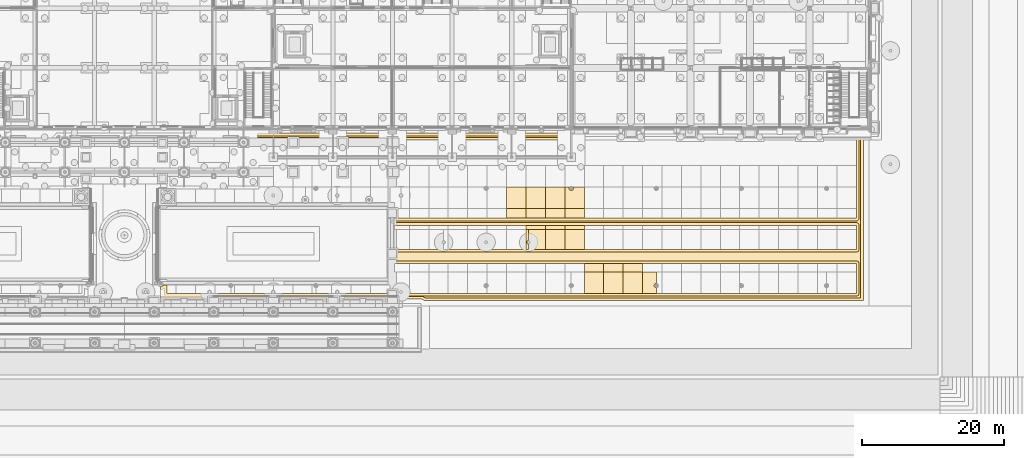
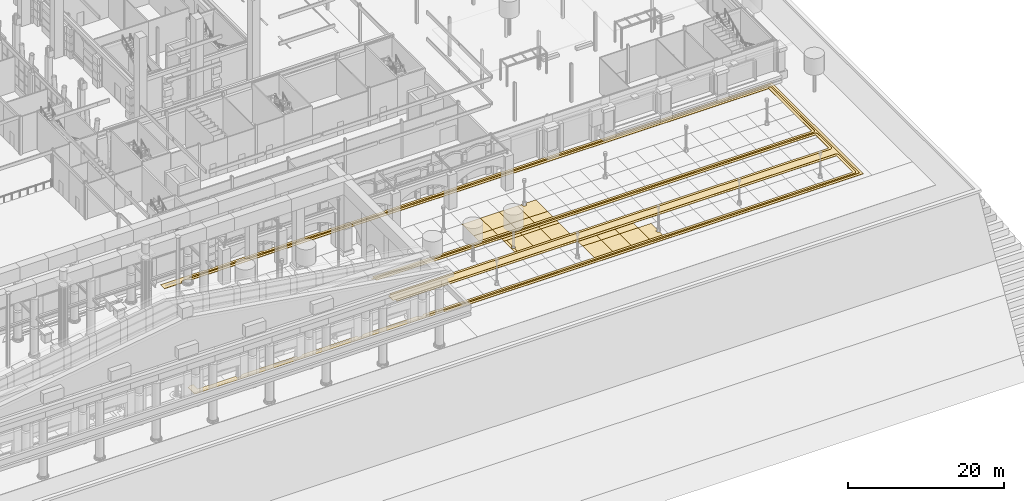
# One storey, part 158 of 222: 24 coverings.
"""IFC4 building model written with IfcOpenShell, lengths in metres."""

from ifc_helpers import new_model, si_unit, direction, frame, origin, place, context, subcontext, project, spatial, polyline, outline, extrude, material, layer, layer_set, type_object, element, save


model = new_model("IFC4")

# Units and contexts
model_context = context("Model", 3, precision=1e-05, world=origin(), true_north=direction((0.0, 1.0)))
body_context = subcontext(model_context, "Body", "Model", "MODEL_VIEW")
ifc_project = project(units=[si_unit("LENGTHUNIT", "METRE"), si_unit("AREAUNIT", "SQUARE_METRE"), si_unit("VOLUMEUNIT", "CUBIC_METRE"), si_unit("PLANEANGLEUNIT", "RADIAN"), si_unit("MASSUNIT", "GRAM", prefix="KILO")], contexts=[model_context])

# Site, building, storey
site_placement = place(None, origin())
site = spatial("IfcSite", under=ifc_project, at=site_placement, CompositionType="ELEMENT")
building_placement = place(site_placement, origin())
building = spatial("IfcBuilding", under=site, at=building_placement, Name="Sava Quay Ferry Terminal", CompositionType="ELEMENT")
storey_placement = place(building_placement, origin())
storey = spatial("IfcBuildingStorey", under=building, at=storey_placement, Name="L00", CompositionType="ELEMENT", Elevation=0.0)

# Coverings
ifc_material_1 = material(Name="Basalt setts", Category="masonry")
ifc_layer_1 = layer(ifc_material_1, 0.02001953125)
ifc_layer_set_1 = layer_set([ifc_layer_1], Name="Basalt setts")
covering_type_1 = type_object("IfcCoveringType", Name="Basalt inlay line 20", PredefinedType="FLOORING", material=ifc_layer_set_1)
covering_1_placement = place(storey_placement, frame((0.0, 0.0, 0.050048828125)))
element("IfcCovering", 1, at=covering_1_placement, inside=storey, type_object=covering_type_1, Name="Basalt inlay line", PredefinedType="FLOORING", context=body_context, shape_type="SweptSolid", body=[
    extrude(outline(polyline([(166.31005859375, 1.43603515625), (166.27392578125, 1.427001953125), (166.237060546875, 1.422119140625), (166.199951171875, 1.419921875), (102.659912109375, 1.419921875), (102.6240234375, 1.3798828125), (104.800048828125, 1.3798828125), (104.8779296875, 1.376953125), (104.9169921875, 1.373046875), (105.008056640625, 1.35693359375), (105.06494140625, 1.343017578125), (105.10205078125, 1.33203125), (105.157958984375, 1.31201171875), (105.19189453125, 1.298095703125), (105.2451171875, 1.27294921875), (105.279052734375, 1.2548828125), (105.3291015625, 1.22509765625), (105.39306640625, 1.179931640625), (166.820068359375, 1.179931640625), (166.820068359375, 24.02001953125), (118.467041015625, 24.02001953125), (118.4208984375, 24.0), (118.39794921875, 23.991943359375), (118.35107421875, 23.97900390625), (118.302978515625, 23.968994140625), (118.263916015625, 23.962890625), (118.22509765625, 23.9609375), (117.0, 23.9599609375), (116.9599609375, 23.9609375), (116.9130859375, 23.966064453125), (116.85888671875, 23.97607421875), (116.802001953125, 23.991943359375), (116.751953125, 24.010986328125), (116.73291015625, 24.02001953125), (110.06689453125, 24.02001953125), (110.02099609375, 24.0), (109.998046875, 23.991943359375), (109.950927734375, 23.97900390625), (109.903076171875, 23.968994140625), (109.864013671875, 23.962890625), (109.824951171875, 23.9609375), (108.60009765625, 23.9599609375), (108.56005859375, 23.9609375), (108.512939453125, 23.966064453125), (108.458984375, 23.97607421875), (108.402099609375, 23.991943359375), (108.35205078125, 24.010986328125), (108.3330078125, 24.02001953125), (101.6669921875, 24.02001953125), (101.62109375, 24.0), (101.597900390625, 23.991943359375), (101.551025390625, 23.97900390625), (101.5029296875, 23.968994140625), (101.464111328125, 23.962890625), (101.425048828125, 23.9609375), (100.199951171875, 23.9599609375), (100.159912109375, 23.9609375), (100.113037109375, 23.966064453125), (100.05908203125, 23.97607421875), (100.001953125, 23.991943359375), (99.951904296875, 24.010986328125), (99.93310546875, 24.02001953125), (93.26708984375, 24.02001953125), (93.220947265625, 24.0), (93.197998046875, 23.991943359375), (93.15087890625, 23.97900390625), (93.10302734375, 23.968994140625), (93.06396484375, 23.962890625), (93.02490234375, 23.9609375), (91.800048828125, 23.9599609375), (91.760009765625, 23.9609375), (91.712890625, 23.966064453125), (91.658935546875, 23.97607421875), (91.60205078125, 23.991943359375), (91.552001953125, 24.010986328125), (91.532958984375, 24.02001953125), (84.866943359375, 24.02001953125), (84.821044921875, 24.0), (84.798095703125, 23.991943359375), (84.7509765625, 23.97900390625), (84.702880859375, 23.968994140625), (84.6640625, 23.962890625), (84.625, 23.9609375), (83.39990234375, 23.9599609375), (83.360107421875, 23.9609375), (83.31298828125, 23.966064453125), (83.259033203125, 23.97607421875), (83.201904296875, 23.991943359375), (83.152099609375, 24.010986328125), (83.133056640625, 24.02001953125), (80.52001953125, 24.02001953125), (80.56591796875, 23.988037109375), (80.595947265625, 23.962890625), (80.64306640625, 23.91796875), (80.6630859375, 23.89599609375), (80.705078125, 23.843017578125), (80.722900390625, 23.81591796875), (80.743896484375, 23.780029296875), (166.199951171875, 23.780029296875), (166.237060546875, 23.778076171875), (166.27392578125, 23.77294921875), (166.31005859375, 23.763916015625), (166.344970703125, 23.7509765625), (166.37890625, 23.735107421875), (166.410888671875, 23.716064453125), (166.44091796875, 23.694091796875), (166.468994140625, 23.6689453125), (166.493896484375, 23.64111328125), (166.51611328125, 23.611083984375), (166.534912109375, 23.5791015625), (166.551025390625, 23.544921875), (166.56396484375, 23.510009765625), (166.572998046875, 23.47412109375), (166.577880859375, 23.43701171875), (166.580078125, 23.39990234375), (166.580078125, 12.39990234375), (166.577880859375, 12.363037109375), (166.572998046875, 12.325927734375), (166.56396484375, 12.2900390625), (166.551025390625, 12.2548828125), (166.534912109375, 12.220947265625), (166.51611328125, 12.18896484375), (166.493896484375, 12.158935546875), (166.468994140625, 12.131103515625), (166.44091796875, 12.10595703125), (166.410888671875, 12.083984375), (166.37890625, 12.06494140625), (166.344970703125, 12.049072265625), (166.31005859375, 12.035888671875), (166.27392578125, 12.027099609375), (166.237060546875, 12.02197265625), (166.199951171875, 12.02001953125), (100.6298828125, 12.02001953125), (100.6298828125, 11.780029296875), (166.199951171875, 11.780029296875), (166.237060546875, 11.778076171875), (166.27392578125, 11.77294921875), (166.31005859375, 11.763916015625), (166.344970703125, 11.7509765625), (166.37890625, 11.735107421875), (166.410888671875, 11.716064453125), (166.44091796875, 11.694091796875), (166.468994140625, 11.6689453125), (166.493896484375, 11.64111328125), (166.51611328125, 11.611083984375), (166.534912109375, 11.5791015625), (166.551025390625, 11.544921875), (166.56396484375, 11.510009765625), (166.572998046875, 11.47412109375), (166.577880859375, 11.43701171875), (166.580078125, 11.39990234375), (166.580078125, 8.0), (166.577880859375, 7.962890625), (166.572998046875, 7.926025390625), (166.56396484375, 7.889892578125), (166.551025390625, 7.85498046875), (166.534912109375, 7.821044921875), (166.51611328125, 7.7890625), (166.493896484375, 7.759033203125), (166.468994140625, 7.73095703125), (166.44091796875, 7.7060546875), (166.410888671875, 7.68408203125), (166.37890625, 7.6650390625), (166.344970703125, 7.64892578125), (166.31005859375, 7.635986328125), (166.27392578125, 7.626953125), (166.237060546875, 7.6220703125), (166.199951171875, 7.6201171875), (100.6298828125, 7.6201171875), (100.6298828125, 6.3798828125), (166.199951171875, 6.3798828125), (166.237060546875, 6.3779296875), (166.27392578125, 6.373046875), (166.31005859375, 6.364013671875), (166.344970703125, 6.35107421875), (166.37890625, 6.3349609375), (166.410888671875, 6.31591796875), (166.44091796875, 6.2939453125), (166.468994140625, 6.26904296875), (166.493896484375, 6.240966796875), (166.51611328125, 6.2109375), (166.534912109375, 6.178955078125), (166.551025390625, 6.14501953125), (166.56396484375, 6.110107421875), (166.572998046875, 6.073974609375), (166.577880859375, 6.037109375), (166.580078125, 6.0), (166.580078125, 1.800048828125), (166.577880859375, 1.762939453125), (166.572998046875, 1.72607421875), (166.56396484375, 1.68994140625), (166.551025390625, 1.655029296875), (166.534912109375, 1.62109375), (166.51611328125, 1.589111328125), (166.493896484375, 1.55908203125), (166.468994140625, 1.531005859375), (166.44091796875, 1.506103515625), (166.410888671875, 1.48388671875), (166.37890625, 1.465087890625), (166.344970703125, 1.448974609375), (166.31005859375, 1.43603515625)])), origin(), (0.0, 0.0, 1.0), 0.02001953125),
])
ifc_material_2 = material(Name="Limestone Mutalj", Category="masonry")
ifc_layer_2 = layer(ifc_material_2, 0.030029296875)
ifc_layer_set_2 = layer_set([ifc_layer_2], Name="Limestone Mutalj")
covering_type_2 = type_object("IfcCoveringType", Name="Court paving tile 30", PredefinedType="FLOORING", material=ifc_layer_set_2)
covering_2_placement = place(storey_placement, origin())
element("IfcCovering", 2, at=covering_2_placement, inside=storey, type_object=covering_type_2, Name="Limestone paving tile", PredefinedType="FLOORING", context=body_context, shape_type="SweptSolid", body=[
    extrude(outline(polyline([(116.8798828125, 13.800048828125), (119.6201171875, 13.800048828125), (119.6201171875, 16.800048828125), (116.8798828125, 16.800048828125), (116.8798828125, 13.800048828125)])), origin(), (0.0, 0.0, 1.0), 0.030029296875),
])
covering_3_placement = place(storey_placement, origin())
element("IfcCovering", 3, at=covering_3_placement, inside=storey, type_object=covering_type_2, Name="Limestone paving tile", PredefinedType="FLOORING", context=body_context, shape_type="SweptSolid", body=[
    extrude(outline(polyline([(122.360107421875, 10.800048828125), (122.360107421875, 11.389892578125), (119.6201171875, 11.389892578125), (119.6201171875, 10.800048828125), (122.360107421875, 10.800048828125)])), origin(), (0.0, 0.0, 1.0), 0.030029296875),
])
covering_4_placement = place(storey_placement, origin())
element("IfcCovering", 4, at=covering_4_placement, inside=storey, type_object=covering_type_2, Name="Limestone paving tile", PredefinedType="FLOORING", context=body_context, shape_type="SweptSolid", body=[
    extrude(outline(polyline([(119.6201171875, 13.800048828125), (119.6201171875, 12.409912109375), (122.360107421875, 12.409912109375), (122.360107421875, 13.800048828125), (119.6201171875, 13.800048828125)])), origin(), (0.0, 0.0, 1.0), 0.030029296875),
])
covering_5_placement = place(storey_placement, origin())
element("IfcCovering", 5, at=covering_5_placement, inside=storey, type_object=covering_type_2, Name="Limestone paving tile", PredefinedType="FLOORING", context=body_context, shape_type="SweptSolid", body=[
    extrude(outline(polyline([(122.360107421875, 10.800048828125), (122.360107421875, 8.010009765625), (125.10009765625, 8.010009765625), (125.10009765625, 10.800048828125), (122.360107421875, 10.800048828125)])), origin(), (0.0, 0.0, 1.0), 0.030029296875),
])
covering_6_placement = place(storey_placement, origin())
element("IfcCovering", 6, at=covering_6_placement, inside=storey, type_object=covering_type_2, Name="Limestone paving tile", PredefinedType="FLOORING", context=body_context, shape_type="SweptSolid", body=[
    extrude(outline(polyline([(122.360107421875, 13.800048828125), (125.10009765625, 13.800048828125), (125.10009765625, 16.800048828125), (122.360107421875, 16.800048828125), (122.360107421875, 13.800048828125)])), origin(), (0.0, 0.0, 1.0), 0.030029296875),
])
covering_7_placement = place(storey_placement, origin())
element("IfcCovering", 7, at=covering_7_placement, inside=storey, type_object=covering_type_2, Name="Limestone paving tile", PredefinedType="FLOORING", context=body_context, shape_type="SweptSolid", body=[
    extrude(outline(polyline([(127.840087890625, 10.800048828125), (127.840087890625, 11.389892578125), (125.10009765625, 11.389892578125), (125.10009765625, 10.800048828125), (127.840087890625, 10.800048828125)])), origin(), (0.0, 0.0, 1.0), 0.030029296875),
])
covering_8_placement = place(storey_placement, origin())
element("IfcCovering", 8, at=covering_8_placement, inside=storey, type_object=covering_type_2, Name="Limestone paving tile", PredefinedType="FLOORING", context=body_context, shape_type="SweptSolid", body=[
    extrude(outline(polyline([(125.10009765625, 13.800048828125), (125.10009765625, 12.409912109375), (127.840087890625, 12.409912109375), (127.840087890625, 13.800048828125), (125.10009765625, 13.800048828125)])), origin(), (0.0, 0.0, 1.0), 0.030029296875),
])
covering_9_placement = place(storey_placement, origin())
element("IfcCovering", 9, at=covering_9_placement, inside=storey, type_object=covering_type_2, Name="Limestone paving tile", PredefinedType="FLOORING", context=body_context, shape_type="SweptSolid", body=[
    extrude(outline(polyline([(127.840087890625, 4.800048828125), (127.840087890625, 1.81005859375), (130.580078125, 1.81005859375), (130.580078125, 4.800048828125), (127.840087890625, 4.800048828125)])), origin(), (0.0, 0.0, 1.0), 0.030029296875),
])
covering_10_placement = place(storey_placement, origin())
element("IfcCovering", 10, at=covering_10_placement, inside=storey, type_object=covering_type_2, Name="Limestone paving tile", PredefinedType="FLOORING", context=body_context, shape_type="SweptSolid", body=[
    extrude(outline(polyline([(133.320068359375, 4.800048828125), (133.320068359375, 5.989990234375), (130.580078125, 5.989990234375), (130.580078125, 4.800048828125), (133.320068359375, 4.800048828125)])), origin(), (0.0, 0.0, 1.0), 0.030029296875),
])
covering_11_placement = place(storey_placement, origin())
element("IfcCovering", 11, at=covering_11_placement, inside=storey, type_object=covering_type_2, Name="Limestone paving tile", PredefinedType="FLOORING", context=body_context, shape_type="SweptSolid", body=[
    extrude(outline(polyline([(133.320068359375, 4.800048828125), (133.320068359375, 1.81005859375), (136.06005859375, 1.81005859375), (136.06005859375, 4.800048828125), (133.320068359375, 4.800048828125)])), origin(), (0.0, 0.0, 1.0), 0.030029296875),
])
ifc_material_3 = material(Name="Red sandstone Vrsac", Category="masonry")
ifc_layer_3 = layer(ifc_material_3, 0.030029296875)
ifc_layer_set_3 = layer_set([ifc_layer_3], Name="Red sandstone Vrsac")
covering_type_3 = type_object("IfcCoveringType", Name="Court paving tile sandstone 30", PredefinedType="FLOORING", material=ifc_layer_set_3)
covering_12_placement = place(storey_placement, origin())
element("IfcCovering", 12, at=covering_12_placement, inside=storey, type_object=covering_type_3, Name="Sandstone paving tile", PredefinedType="FLOORING", context=body_context, shape_type="SweptSolid", body=[
    extrude(outline(polyline([(116.8798828125, 13.800048828125), (116.8798828125, 12.409912109375), (119.6201171875, 12.409912109375), (119.6201171875, 13.800048828125), (116.8798828125, 13.800048828125)])), origin(), (0.0, 0.0, 1.0), 0.030029296875),
])
covering_13_placement = place(storey_placement, origin())
element("IfcCovering", 13, at=covering_13_placement, inside=storey, type_object=covering_type_3, Name="Sandstone paving tile", PredefinedType="FLOORING", context=body_context, shape_type="SweptSolid", body=[
    extrude(outline(polyline([(120.0, 10.800048828125), (119.6201171875, 10.800048828125), (119.6201171875, 8.010009765625), (120.0, 8.010009765625), (120.0, 8.739990234375), (119.97412109375, 8.740966796875), (119.948974609375, 8.7451171875), (119.924072265625, 8.7509765625), (119.89990234375, 8.760009765625), (119.876953125, 8.77099609375), (119.85498046875, 8.783935546875), (119.8349609375, 8.799072265625), (119.81591796875, 8.81689453125), (119.799072265625, 8.8349609375), (119.783935546875, 8.85595703125), (119.77001953125, 8.8779296875), (119.760009765625, 8.90087890625), (119.7509765625, 8.925048828125), (119.7451171875, 8.949951171875), (119.740966796875, 8.97509765625), (119.739990234375, 9.0), (119.740966796875, 9.02587890625), (119.7451171875, 9.051025390625), (119.7509765625, 9.075927734375), (119.760009765625, 9.10009765625), (119.77099609375, 9.123046875), (119.783935546875, 9.14501953125), (119.799072265625, 9.1650390625), (119.81689453125, 9.18408203125), (119.8349609375, 9.200927734375), (119.85595703125, 9.216064453125), (119.8779296875, 9.22998046875), (119.90087890625, 9.239990234375), (119.925048828125, 9.2490234375), (119.949951171875, 9.2548828125), (119.97509765625, 9.259033203125), (120.0, 9.260009765625), (120.0, 10.800048828125)])), origin(), (0.0, 0.0, 1.0), 0.030029296875),
])
covering_14_placement = place(storey_placement, origin())
element("IfcCovering", 14, at=covering_14_placement, inside=storey, type_object=covering_type_3, Name="Sandstone paving tile", PredefinedType="FLOORING", context=body_context, shape_type="SweptSolid", body=[
    extrude(outline(polyline([(122.360107421875, 10.800048828125), (120.0, 10.800048828125), (120.0, 9.260009765625), (120.02587890625, 9.259033203125), (120.051025390625, 9.2548828125), (120.075927734375, 9.2490234375), (120.10009765625, 9.239990234375), (120.123046875, 9.22900390625), (120.14501953125, 9.216064453125), (120.1650390625, 9.200927734375), (120.18408203125, 9.18310546875), (120.200927734375, 9.1650390625), (120.216064453125, 9.14404296875), (120.22998046875, 9.1220703125), (120.239990234375, 9.09912109375), (120.2490234375, 9.074951171875), (120.2548828125, 9.050048828125), (120.259033203125, 9.02490234375), (120.260009765625, 9.0), (120.259033203125, 8.97412109375), (120.2548828125, 8.948974609375), (120.2490234375, 8.924072265625), (120.239990234375, 8.89990234375), (120.22900390625, 8.876953125), (120.216064453125, 8.85498046875), (120.200927734375, 8.8349609375), (120.18310546875, 8.81591796875), (120.1650390625, 8.799072265625), (120.14404296875, 8.783935546875), (120.1220703125, 8.77001953125), (120.09912109375, 8.760009765625), (120.074951171875, 8.7509765625), (120.050048828125, 8.7451171875), (120.02490234375, 8.740966796875), (120.0, 8.739990234375), (120.0, 8.010009765625), (122.360107421875, 8.010009765625), (122.360107421875, 10.800048828125)])), origin(), (0.0, 0.0, 1.0), 0.030029296875),
])
covering_15_placement = place(storey_placement, origin())
element("IfcCovering", 15, at=covering_15_placement, inside=storey, type_object=covering_type_3, Name="Sandstone paving tile", PredefinedType="FLOORING", context=body_context, shape_type="SweptSolid", body=[
    extrude(outline(polyline([(119.6201171875, 13.800048828125), (122.360107421875, 13.800048828125), (122.360107421875, 16.800048828125), (119.6201171875, 16.800048828125), (119.6201171875, 13.800048828125)])), origin(), (0.0, 0.0, 1.0), 0.030029296875),
])
covering_16_placement = place(storey_placement, origin())
element("IfcCovering", 16, at=covering_16_placement, inside=storey, type_object=covering_type_3, Name="Sandstone paving tile", PredefinedType="FLOORING", context=body_context, shape_type="SweptSolid", body=[
    extrude(outline(polyline([(125.10009765625, 10.800048828125), (125.10009765625, 11.389892578125), (122.360107421875, 11.389892578125), (122.360107421875, 10.800048828125), (125.10009765625, 10.800048828125)])), origin(), (0.0, 0.0, 1.0), 0.030029296875),
])
covering_17_placement = place(storey_placement, origin())
element("IfcCovering", 17, at=covering_17_placement, inside=storey, type_object=covering_type_3, Name="Sandstone paving tile", PredefinedType="FLOORING", context=body_context, shape_type="SweptSolid", body=[
    extrude(outline(polyline([(122.360107421875, 13.800048828125), (122.360107421875, 12.409912109375), (125.10009765625, 12.409912109375), (125.10009765625, 13.800048828125), (122.360107421875, 13.800048828125)])), origin(), (0.0, 0.0, 1.0), 0.030029296875),
])
covering_18_placement = place(storey_placement, origin())
element("IfcCovering", 18, at=covering_18_placement, inside=storey, type_object=covering_type_3, Name="Sandstone paving tile", PredefinedType="FLOORING", context=body_context, shape_type="SweptSolid", body=[
    extrude(outline(polyline([(125.10009765625, 10.800048828125), (125.10009765625, 8.010009765625), (127.840087890625, 8.010009765625), (127.840087890625, 10.800048828125), (125.10009765625, 10.800048828125)])), origin(), (0.0, 0.0, 1.0), 0.030029296875),
])
covering_19_placement = place(storey_placement, origin())
element("IfcCovering", 19, at=covering_19_placement, inside=storey, type_object=covering_type_3, Name="Sandstone paving tile", PredefinedType="FLOORING", context=body_context, shape_type="SweptSolid", body=[
    extrude(outline(polyline([(127.840087890625, 16.800048828125), (126.237060546875, 16.800048828125), (126.257080078125, 16.77294921875), (126.27392578125, 16.74609375), (126.287109375, 16.718017578125), (126.2958984375, 16.68994140625), (126.303955078125, 16.659912109375), (126.30810546875, 16.631103515625), (126.31005859375, 16.60009765625), (126.30810546875, 16.569091796875), (126.303955078125, 16.5400390625), (126.297119140625, 16.510009765625), (126.285888671875, 16.48095703125), (126.27294921875, 16.452880859375), (126.258056640625, 16.427978515625), (126.239013671875, 16.403076171875), (126.218994140625, 16.3798828125), (126.197021484375, 16.361083984375), (126.172119140625, 16.342041015625), (126.14599609375, 16.325927734375), (126.118896484375, 16.31396484375), (126.090087890625, 16.302978515625), (126.06005859375, 16.2958984375), (126.031005859375, 16.2919921875), (126.0, 16.2900390625), (125.968994140625, 16.2919921875), (125.93994140625, 16.2958984375), (125.909912109375, 16.302978515625), (125.881103515625, 16.31396484375), (125.85400390625, 16.325927734375), (125.827880859375, 16.342041015625), (125.802978515625, 16.361083984375), (125.781005859375, 16.3798828125), (125.760986328125, 16.403076171875), (125.741943359375, 16.427978515625), (125.72705078125, 16.452880859375), (125.714111328125, 16.48095703125), (125.702880859375, 16.510009765625), (125.696044921875, 16.5400390625), (125.69189453125, 16.569091796875), (125.68994140625, 16.60009765625), (125.69189453125, 16.631103515625), (125.696044921875, 16.659912109375), (125.7041015625, 16.68994140625), (125.712890625, 16.718017578125), (125.72607421875, 16.74609375), (125.742919921875, 16.77294921875), (125.762939453125, 16.800048828125), (125.10009765625, 16.800048828125), (125.10009765625, 13.800048828125), (127.840087890625, 13.800048828125), (127.840087890625, 16.800048828125)])), origin(), (0.0, 0.0, 1.0), 0.030029296875),
])
covering_20_placement = place(storey_placement, origin())
element("IfcCovering", 20, at=covering_20_placement, inside=storey, type_object=covering_type_3, Name="Sandstone paving tile", PredefinedType="FLOORING", context=body_context, shape_type="SweptSolid", body=[
    extrude(outline(polyline([(130.580078125, 4.800048828125), (130.580078125, 5.989990234375), (127.840087890625, 5.989990234375), (127.840087890625, 4.800048828125), (130.580078125, 4.800048828125)])), origin(), (0.0, 0.0, 1.0), 0.030029296875),
])
covering_21_placement = place(storey_placement, origin())
element("IfcCovering", 21, at=covering_21_placement, inside=storey, type_object=covering_type_3, Name="Sandstone paving tile", PredefinedType="FLOORING", context=body_context, shape_type="SweptSolid", body=[
    extrude(outline(polyline([(130.580078125, 4.800048828125), (130.580078125, 1.81005859375), (133.320068359375, 1.81005859375), (133.320068359375, 4.800048828125), (130.580078125, 4.800048828125)])), origin(), (0.0, 0.0, 1.0), 0.030029296875),
])
covering_22_placement = place(storey_placement, origin())
element("IfcCovering", 22, at=covering_22_placement, inside=storey, type_object=covering_type_3, Name="Sandstone paving tile", PredefinedType="FLOORING", context=body_context, shape_type="SweptSolid", body=[
    extrude(outline(polyline([(136.06005859375, 4.800048828125), (136.06005859375, 5.989990234375), (133.320068359375, 5.989990234375), (133.320068359375, 4.800048828125), (136.06005859375, 4.800048828125)])), origin(), (0.0, 0.0, 1.0), 0.030029296875),
])
covering_23_placement = place(storey_placement, origin())
element("IfcCovering", 23, at=covering_23_placement, inside=storey, type_object=covering_type_3, Name="Sandstone paving tile", PredefinedType="FLOORING", context=body_context, shape_type="SweptSolid", body=[
    extrude(outline(polyline([(138.0, 4.800048828125), (136.06005859375, 4.800048828125), (136.06005859375, 1.81005859375), (138.0, 1.81005859375), (138.0, 2.590087890625), (137.968994140625, 2.592041015625), (137.93896484375, 2.595947265625), (137.909912109375, 2.60400390625), (137.881103515625, 2.614013671875), (137.85302734375, 2.626953125), (137.826904296875, 2.64306640625), (137.802978515625, 2.660888671875), (137.780029296875, 2.680908203125), (137.760009765625, 2.7041015625), (137.741943359375, 2.72802734375), (137.72607421875, 2.75390625), (137.712890625, 2.781982421875), (137.702880859375, 2.81005859375), (137.696044921875, 2.840087890625), (137.69091796875, 2.8701171875), (137.68994140625, 2.89990234375), (137.69189453125, 2.930908203125), (137.696044921875, 2.9609375), (137.7041015625, 2.989990234375), (137.714111328125, 3.01904296875), (137.72705078125, 3.047119140625), (137.742919921875, 3.072998046875), (137.760986328125, 3.096923828125), (137.781005859375, 3.1201171875), (137.803955078125, 3.139892578125), (137.827880859375, 3.157958984375), (137.85400390625, 3.174072265625), (137.882080078125, 3.18701171875), (137.909912109375, 3.197021484375), (137.93994140625, 3.2041015625), (137.969970703125, 3.208984375), (138.0, 3.2099609375), (138.0, 4.800048828125)])), origin(), (0.0, 0.0, 1.0), 0.030029296875),
])
ifc_material_4 = material(Name="Limestone Mutalj", Category="masonry")
ifc_layer_4 = layer(ifc_material_4, 0.050048828125)
ifc_layer_set_4 = layer_set([ifc_layer_4], Name="Limestone Mutalj")
covering_type_4 = type_object("IfcCoveringType", Name="Stone paving band 50", PredefinedType="FLOORING", material=ifc_layer_set_4)
covering_24_placement = place(storey_placement, origin())
element("IfcCovering", 24, at=covering_24_placement, inside=storey, type_object=covering_type_4, Name="Stone paving band", PredefinedType="FLOORING", context=body_context, shape_type="SweptSolid", body=[
    extrude(outline(polyline([(69.0, 1.800048828125), (69.0, 2.949951171875), (68.472900390625, 2.949951171875), (68.458984375, 2.928955078125), (68.416015625, 2.8798828125), (68.3759765625, 2.844970703125), (68.327880859375, 2.81201171875), (68.26904296875, 2.782958984375), (68.219970703125, 2.76611328125), (68.162109375, 2.75390625), (68.10009765625, 2.75), (68.10009765625, 1.0), (104.800048828125, 1.0), (104.85888671875, 0.9970703125), (104.9169921875, 0.988037109375), (104.97412109375, 0.97412109375), (105.030029296875, 0.9541015625), (105.0830078125, 0.928955078125), (105.133056640625, 0.89892578125), (105.180908203125, 0.864013671875), (105.22412109375, 0.823974609375), (105.24609375, 0.800048828125), (167.199951171875, 0.800048828125), (167.199951171875, 24.39990234375), (118.362060546875, 24.39990234375), (118.339111328125, 24.382080078125), (118.2958984375, 24.35888671875), (118.27294921875, 24.35107421875), (118.22509765625, 24.341064453125), (117.0, 24.340087890625), (116.97509765625, 24.341064453125), (116.950927734375, 24.344970703125), (116.927001953125, 24.35107421875), (116.904052734375, 24.35888671875), (116.861083984375, 24.382080078125), (116.837890625, 24.39990234375), (109.9619140625, 24.39990234375), (109.93896484375, 24.382080078125), (109.89599609375, 24.35888671875), (109.873046875, 24.35107421875), (109.824951171875, 24.341064453125), (108.60009765625, 24.340087890625), (108.574951171875, 24.341064453125), (108.551025390625, 24.344970703125), (108.527099609375, 24.35107421875), (108.50390625, 24.35888671875), (108.4609375, 24.382080078125), (108.43798828125, 24.39990234375), (101.56201171875, 24.39990234375), (101.5390625, 24.382080078125), (101.49609375, 24.35888671875), (101.472900390625, 24.35107421875), (101.425048828125, 24.341064453125), (100.199951171875, 24.340087890625), (100.175048828125, 24.341064453125), (100.15087890625, 24.344970703125), (100.126953125, 24.35107421875), (100.10400390625, 24.35888671875), (100.06103515625, 24.382080078125), (100.0380859375, 24.39990234375), (93.162109375, 24.39990234375), (93.138916015625, 24.382080078125), (93.095947265625, 24.35888671875), (93.072998046875, 24.35107421875), (93.02490234375, 24.341064453125), (91.800048828125, 24.340087890625), (91.77490234375, 24.341064453125), (91.7509765625, 24.344970703125), (91.72705078125, 24.35107421875), (91.7041015625, 24.35888671875), (91.660888671875, 24.382080078125), (91.637939453125, 24.39990234375), (84.761962890625, 24.39990234375), (84.739013671875, 24.382080078125), (84.696044921875, 24.35888671875), (84.673095703125, 24.35107421875), (84.625, 24.341064453125), (83.39990234375, 24.340087890625), (83.375, 24.341064453125), (83.35107421875, 24.344970703125), (83.326904296875, 24.35107421875), (83.303955078125, 24.35888671875), (83.260986328125, 24.382080078125), (83.238037109375, 24.39990234375), (76.529052734375, 24.39990234375), (76.529052734375, 23.39990234375), (79.14990234375, 23.39990234375), (79.15087890625, 23.47900390625), (79.156005859375, 23.509033203125), (79.1630859375, 23.537109375), (79.173095703125, 23.56494140625), (79.18505859375, 23.591064453125), (79.200927734375, 23.616943359375), (79.218017578125, 23.639892578125), (79.238037109375, 23.662109375), (79.260009765625, 23.681884765625), (79.282958984375, 23.698974609375), (79.30908203125, 23.715087890625), (79.3349609375, 23.72705078125), (79.363037109375, 23.737060546875), (79.39111328125, 23.743896484375), (79.4208984375, 23.7490234375), (79.541015625, 23.75), (79.60888671875, 23.77294921875), (79.676025390625, 23.7890625), (79.743896484375, 23.798095703125), (79.81201171875, 23.800048828125), (79.881103515625, 23.794921875), (79.948974609375, 23.783935546875), (80.014892578125, 23.76611328125), (80.05908203125, 23.75), (80.178955078125, 23.7490234375), (80.208984375, 23.743896484375), (80.237060546875, 23.737060546875), (80.264892578125, 23.72705078125), (80.291015625, 23.715087890625), (80.31689453125, 23.698974609375), (80.340087890625, 23.681884765625), (80.362060546875, 23.662109375), (80.382080078125, 23.639892578125), (80.39892578125, 23.616943359375), (80.4150390625, 23.591064453125), (80.427001953125, 23.56494140625), (80.43701171875, 23.537109375), (80.444091796875, 23.509033203125), (80.448974609375, 23.47900390625), (80.449951171875, 23.39990234375), (166.199951171875, 23.39990234375), (166.199951171875, 12.39990234375), (101.050048828125, 12.39990234375), (101.050048828125, 11.39990234375), (166.199951171875, 11.39990234375), (166.199951171875, 8.0), (101.050048828125, 8.0), (101.050048828125, 6.0), (166.199951171875, 6.0), (166.199951171875, 1.800048828125), (102.4580078125, 1.800048828125), (102.446044921875, 1.77490234375), (102.422119140625, 1.73291015625), (102.39404296875, 1.69189453125), (102.344970703125, 1.637939453125), (102.30810546875, 1.60595703125), (102.26708984375, 1.577880859375), (102.24609375, 1.56494140625), (102.202880859375, 1.54296875), (102.156982421875, 1.52490234375), (102.133056640625, 1.51806640625), (102.110107421875, 1.511962890625), (102.06103515625, 1.50390625), (102.011962890625, 1.5), (101.988037109375, 1.5), (101.962890625, 1.501953125), (101.889892578125, 1.511962890625), (101.843017578125, 1.52490234375), (101.77490234375, 1.553955078125), (101.75390625, 1.56494140625), (101.7119140625, 1.591064453125), (101.69189453125, 1.60595703125), (101.655029296875, 1.637939453125), (101.60595703125, 1.69189453125), (101.591064453125, 1.7119140625), (101.56494140625, 1.75390625), (101.5419921875, 1.800048828125), (93.4580078125, 1.800048828125), (93.446044921875, 1.77490234375), (93.422119140625, 1.73291015625), (93.39404296875, 1.69189453125), (93.344970703125, 1.637939453125), (93.30810546875, 1.60595703125), (93.26708984375, 1.577880859375), (93.24609375, 1.56494140625), (93.202880859375, 1.54296875), (93.156982421875, 1.52490234375), (93.133056640625, 1.51806640625), (93.110107421875, 1.511962890625), (93.06103515625, 1.50390625), (93.011962890625, 1.5), (92.988037109375, 1.5), (92.962890625, 1.501953125), (92.889892578125, 1.511962890625), (92.843017578125, 1.52490234375), (92.77490234375, 1.553955078125), (92.75390625, 1.56494140625), (92.7119140625, 1.591064453125), (92.69189453125, 1.60595703125), (92.655029296875, 1.637939453125), (92.60595703125, 1.69189453125), (92.591064453125, 1.7119140625), (92.56494140625, 1.75390625), (92.5419921875, 1.800048828125), (84.4580078125, 1.800048828125), (84.446044921875, 1.77490234375), (84.422119140625, 1.73291015625), (84.39404296875, 1.69189453125), (84.344970703125, 1.637939453125), (84.30810546875, 1.60595703125), (84.26708984375, 1.577880859375), (84.24609375, 1.56494140625), (84.202880859375, 1.54296875), (84.156982421875, 1.52490234375), (84.133056640625, 1.51806640625), (84.110107421875, 1.511962890625), (84.06103515625, 1.50390625), (84.011962890625, 1.5), (83.988037109375, 1.5), (83.962890625, 1.501953125), (83.889892578125, 1.511962890625), (83.843017578125, 1.52490234375), (83.77490234375, 1.553955078125), (83.75390625, 1.56494140625), (83.7119140625, 1.591064453125), (83.69189453125, 1.60595703125), (83.655029296875, 1.637939453125), (83.60595703125, 1.69189453125), (83.591064453125, 1.7119140625), (83.56494140625, 1.75390625), (83.5419921875, 1.800048828125), (75.4580078125, 1.800048828125), (75.446044921875, 1.77490234375), (75.422119140625, 1.73291015625), (75.39404296875, 1.69189453125), (75.344970703125, 1.637939453125), (75.30810546875, 1.60595703125), (75.26708984375, 1.577880859375), (75.24609375, 1.56494140625), (75.202880859375, 1.54296875), (75.156982421875, 1.52490234375), (75.133056640625, 1.51806640625), (75.110107421875, 1.511962890625), (75.06103515625, 1.50390625), (75.011962890625, 1.5), (74.988037109375, 1.5), (74.962890625, 1.501953125), (74.889892578125, 1.511962890625), (74.843017578125, 1.52490234375), (74.77490234375, 1.553955078125), (74.75390625, 1.56494140625), (74.7119140625, 1.591064453125), (74.69189453125, 1.60595703125), (74.655029296875, 1.637939453125), (74.60595703125, 1.69189453125), (74.591064453125, 1.7119140625), (74.56494140625, 1.75390625), (74.5419921875, 1.800048828125), (69.0, 1.800048828125)])), origin(), (0.0, 0.0, 1.0), 0.050048828125),
])

save(model, "model.ifc")
